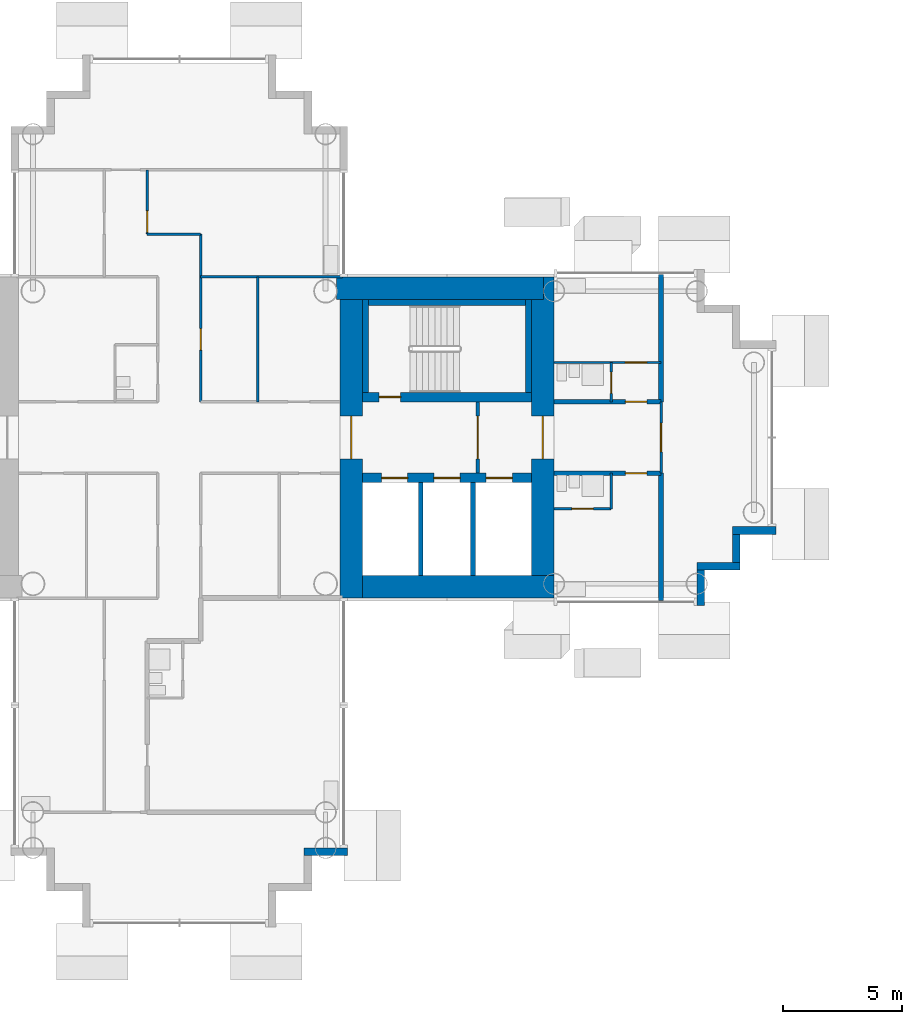
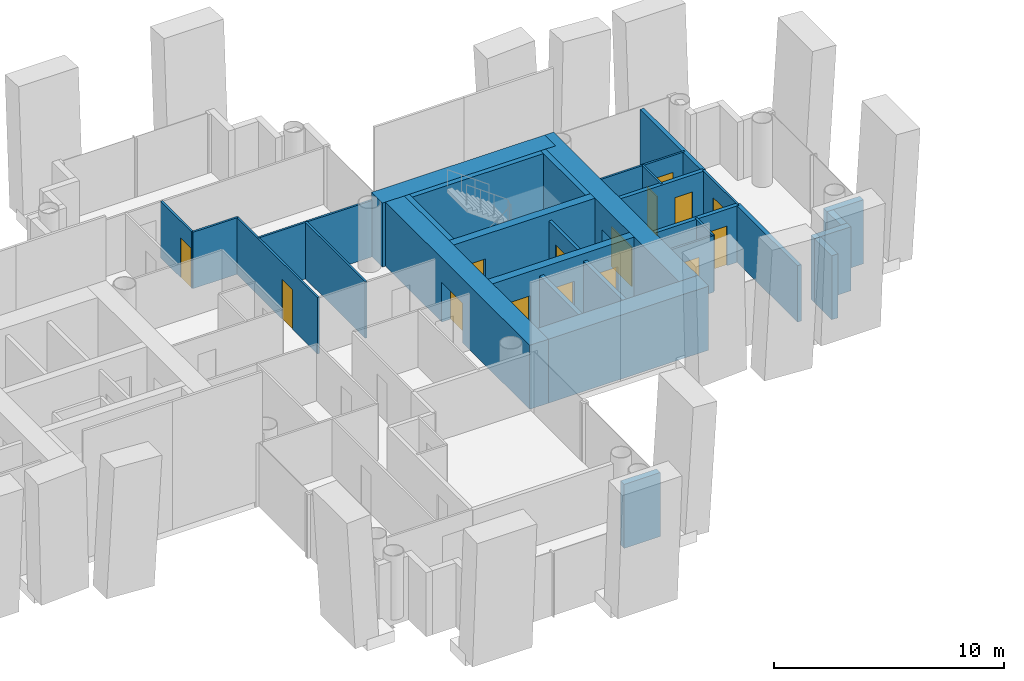
# One storey, part 10 of 21: 31 walls, 15 doors, 15 openings.
"""IFC4 building model written with IfcOpenShell, lengths in metres."""

from ifc_helpers import new_model, si_unit, direction, frame, frame_2d, origin, place, context, subcontext, project, spatial, rectangle, extrude, material, layer, layer_set, type_object, element, fill, save


model = new_model("IFC4")

# Units and contexts
model_context = context("Model", 3, precision=1e-05, world=origin(), true_north=direction((0.0, 1.0)))
body_context = subcontext(model_context, "Body", "Model", "MODEL_VIEW")
ifc_project = project(units=[si_unit("LENGTHUNIT", "METRE"), si_unit("AREAUNIT", "SQUARE_METRE"), si_unit("VOLUMEUNIT", "CUBIC_METRE"), si_unit("PLANEANGLEUNIT", "RADIAN"), si_unit("MASSUNIT", "GRAM", prefix="KILO")], contexts=[model_context])

# Site, building, storey
site_placement = place(None, origin())
site = spatial("IfcSite", under=ifc_project, at=site_placement, CompositionType="ELEMENT")
building_placement = place(site_placement, origin())
building = spatial("IfcBuilding", under=site, at=building_placement, Name="Ipe Terrace Towers", CompositionType="ELEMENT")
storey_placement = place(building_placement, frame((0.0, 0.0, 114.0)))
storey = spatial("IfcBuildingStorey", under=building, at=storey_placement, Name="L31", CompositionType="ELEMENT", Elevation=114.0)

# Walls
ifc_material_1 = material(Name="Concrete C40/50 with buff precast cladding", Category="concrete")
ifc_layer_1 = layer(ifc_material_1, 0.320068359375)
ifc_layer_set_1 = layer_set([ifc_layer_1], Name="BUFF CLADDING WALL 320")
wall_type_1 = type_object("IfcWallType", Name="BUFF CLADDING WALL 320", PredefinedType="STANDARD", material=ifc_layer_set_1)
wall_1_placement = place(storey_placement, frame((-30.75, -17.409912109375, -0.300048828125), z_axis=(0.0, 0.0, 1.0), x_axis=(1.0, 0.0, 0.0)))
element("IfcWall", 1, at=wall_1_placement, inside=storey, type_object=wall_type_1, Name="T1-W-L31-16a wall", PredefinedType="STANDARD", context=body_context, shape_type="SweptSolid", body=[
    extrude(rectangle(XDim=1.820068359375, YDim=0.320068359375, at=frame_2d((0.91015625, 0.0))), origin(), (0.0, 0.0, 1.0), 3.400146484375),
])
wall_2_placement = place(storey_placement, frame((-14.090087890625, -7.070068359375, -0.300048828125), z_axis=(0.0, 0.0, 1.0), x_axis=(0.0, 1.0, 0.0)))
element("IfcWall", 2, at=wall_2_placement, inside=storey, type_object=wall_type_1, Name="T1-W-L31-21a wall", PredefinedType="STANDARD", context=body_context, shape_type="SweptSolid", body=[
    extrude(rectangle(XDim=1.5, YDim=0.320068359375, at=frame_2d((0.75, 0.0))), origin(), (0.0, 0.0, 1.0), 3.400146484375),
])
wall_3_placement = place(storey_placement, frame((-14.25, -5.409912109375, -0.300048828125), z_axis=(0.0, 0.0, 1.0), x_axis=(1.0, 0.0, 0.0)))
element("IfcWall", 3, at=wall_3_placement, inside=storey, type_object=wall_type_1, Name="T1-W-L31-22a wall", PredefinedType="STANDARD", context=body_context, shape_type="SweptSolid", body=[
    extrude(rectangle(XDim=1.820068359375, YDim=0.320068359375, at=frame_2d((0.91015625, 0.0))), origin(), (0.0, 0.0, 1.0), 3.400146484375),
])
wall_4_placement = place(storey_placement, frame((-12.590087890625, -5.25, -0.300048828125), z_axis=(0.0, 0.0, 1.0), x_axis=(0.0, 1.0, 0.0)))
element("IfcWall", 4, at=wall_4_placement, inside=storey, type_object=wall_type_1, Name="T1-W-L31-23a wall", PredefinedType="STANDARD", context=body_context, shape_type="SweptSolid", body=[
    extrude(rectangle(XDim=1.179931640625, YDim=0.320068359375, at=frame_2d((0.58984375, 0.0))), origin(), (0.0, 0.0, 1.0), 3.400146484375),
])
wall_5_placement = place(storey_placement, frame((-12.75, -3.909912109375, -0.300048828125), z_axis=(0.0, 0.0, 1.0), x_axis=(1.0, 0.0, 0.0)))
element("IfcWall", 5, at=wall_5_placement, inside=storey, type_object=wall_type_1, Name="T1-W-L31-24a wall", PredefinedType="STANDARD", context=body_context, shape_type="SweptSolid", body=[
    extrude(rectangle(XDim=1.820068359375, YDim=0.320068359375, at=frame_2d((0.91015625, 0.0))), origin(), (0.0, 0.0, 1.0), 3.400146484375),
])

# Wall, opening, door
ifc_material_2 = material(Name="Gypsum board partition", Category="plasterboard")
ifc_layer_2 = layer(ifc_material_2, 0.10009765625)
ifc_layer_set_2 = layer_set([ifc_layer_2], Name="Gypsum board partition 100 mm")
wall_type_2 = type_object("IfcWallType", Name="Gypsum board partition 100 mm", PredefinedType="PARTITIONING", material=ifc_layer_set_2)
wall_6_placement = place(storey_placement, frame((-37.35009765625, 8.550048828125, 0.0), z_axis=(0.0, 0.0, 1.0), x_axis=(0.0, 1.0, 0.0)))
wall_6 = element("IfcWall", 6, at=wall_6_placement, inside=storey, type_object=wall_type_2, Name="Gypsum board partition T1 L31 W08", PredefinedType="PARTITIONING", context=body_context, shape_type="SweptSolid", body=[
    extrude(rectangle(XDim=2.699951171875, YDim=0.10009765625, at=frame_2d((1.35009765625, 0.0))), origin(), (0.0, 0.0, 1.0), 3.0),
])
opening_1_placement = place(wall_6_placement, frame((0.070068359375, 0.0, 0.0)))
opening_1 = element("IfcOpeningElement", 7, at=opening_1_placement, cuts=wall_6, Name="Opening T1-Z2F-10", PredefinedType="OPENING", context=body_context, shape_type="SweptSolid", body=[
    extrude(rectangle(XDim=0.89990234375, YDim=2.10009765625, at=frame_2d((0.449951171875, 1.050048828125))), frame((0.0, 0.06005859375, 0.0), z_axis=(0.0, -1.0, 0.0), x_axis=(1.0, 0.0, 0.0)), (0.0, 0.0, 1.0), 0.1201171875),
])
ifc_material_3 = material(Name="Timber door leaf", Category="wood")
door_type_1 = type_object("IfcDoorType", Name="Lounge door 900 x 2100", OperationType="NOTDEFINED", PredefinedType="DOOR", material=ifc_material_3)
door_1_placement = place(opening_1_placement, origin())
door_1 = element("IfcDoor", 8, at=door_1_placement, inside=storey, type_object=door_type_1, Name="Lounge door T1-Z2F-10", OperationType="SINGLE_SWING_LEFT", OverallHeight=2.10009765625, OverallWidth=0.89990234375, PredefinedType="DOOR", context=body_context, shape_type="SweptSolid", body=[
    extrude(rectangle(XDim=0.89990234375, YDim=2.10009765625, at=frame_2d((0.449951171875, 1.050048828125))), frame((0.0, 0.02490234375, 0.0), z_axis=(0.0, -1.0, 0.0), x_axis=(1.0, 0.0, 0.0)), (0.0, 0.0, 1.0), 0.050048828125),
])
fill(opening_1, door_1)

wall_7_placement = place(storey_placement, frame((-35.10009765625, 1.5, 0.0), z_axis=(0.0, 0.0, 1.0), x_axis=(0.0, 1.0, 0.0)))
wall_7 = element("IfcWall", 9, at=wall_7_placement, inside=storey, type_object=wall_type_2, Name="Gypsum board partition T1 L31 W14", PredefinedType="PARTITIONING", context=body_context, shape_type="SweptSolid", body=[
    extrude(rectangle(XDim=7.050048828125, YDim=0.10009765625, at=frame_2d((3.52490234375, 0.0))), origin(), (0.0, 0.0, 1.0), 3.0),
])
opening_2_placement = place(wall_7_placement, frame((2.175048828125, 0.0, 0.0)))
opening_2 = element("IfcOpeningElement", 10, at=opening_2_placement, cuts=wall_7, Name="Opening T1-Z2F-02", PredefinedType="OPENING", context=body_context, shape_type="SweptSolid", body=[
    extrude(rectangle(XDim=0.89990234375, YDim=2.10009765625, at=frame_2d((0.449951171875, 1.050048828125))), frame((0.0, 0.06005859375, 0.0), z_axis=(0.0, -1.0, 0.0), x_axis=(1.0, 0.0, 0.0)), (0.0, 0.0, 1.0), 0.1201171875),
])
door_2_placement = place(opening_2_placement, origin())
door_2 = element("IfcDoor", 11, at=door_2_placement, inside=storey, type_object=door_type_1, Name="Lounge door T1-Z2F-02", OperationType="SINGLE_SWING_LEFT", OverallHeight=2.10009765625, OverallWidth=0.89990234375, PredefinedType="DOOR", context=body_context, shape_type="SweptSolid", body=[
    extrude(rectangle(XDim=0.89990234375, YDim=2.10009765625, at=frame_2d((0.449951171875, 1.050048828125))), frame((0.0, 0.02490234375, 0.0), z_axis=(0.0, -1.0, 0.0), x_axis=(1.0, 0.0, 0.0)), (0.0, 0.0, 1.0), 0.050048828125),
])
fill(opening_2, door_2)

# Walls
wall_8_placement = place(storey_placement, frame((-32.699951171875, 1.5, 0.0), z_axis=(0.0, 0.0, 1.0), x_axis=(0.0, 1.0, 0.0)))
element("IfcWall", 12, at=wall_8_placement, inside=storey, type_object=wall_type_2, Name="Gypsum board partition T1 L31 W16", PredefinedType="PARTITIONING", context=body_context, shape_type="SweptSolid", body=[
    extrude(rectangle(XDim=5.25, YDim=0.10009765625, at=frame_2d((2.625, 0.0))), origin(), (0.0, 0.0, 1.0), 3.0),
])
wall_9_placement = place(storey_placement, frame((-17.85009765625, -3.0, 0.0), z_axis=(0.0, 0.0, 1.0), x_axis=(0.0, 1.0, 0.0)))
element("IfcWall", 13, at=wall_9_placement, inside=storey, type_object=wall_type_2, Name="Gypsum board partition T1 L31 W18", PredefinedType="PARTITIONING", context=body_context, shape_type="SweptSolid", body=[
    extrude(rectangle(XDim=1.5, YDim=0.10009765625, at=frame_2d((0.75, 0.0))), origin(), (0.0, 0.0, 1.0), 3.0),
])

# Wall, opening, door
wall_10_placement = place(storey_placement, frame((-17.85009765625, 1.5, 0.0), z_axis=(0.0, 0.0, 1.0), x_axis=(0.0, 1.0, 0.0)))
wall_10 = element("IfcWall", 14, at=wall_10_placement, inside=storey, type_object=wall_type_2, Name="Gypsum board partition T1 L31 W19", PredefinedType="PARTITIONING", context=body_context, shape_type="SweptSolid", body=[
    extrude(rectangle(XDim=1.64990234375, YDim=0.10009765625, at=frame_2d((0.824951171875, 0.0))), origin(), (0.0, 0.0, 1.0), 3.0),
])
opening_3_placement = place(wall_10_placement, frame((0.35009765625, 0.0, 0.0)))
opening_3 = element("IfcOpeningElement", 15, at=opening_3_placement, cuts=wall_10, Name="Opening T1-Z2F-18", PredefinedType="OPENING", context=body_context, shape_type="SweptSolid", body=[
    extrude(rectangle(XDim=0.89990234375, YDim=2.10009765625, at=frame_2d((0.449951171875, 1.050048828125))), frame((0.0, 0.06005859375, 0.0), z_axis=(0.0, -1.0, 0.0), x_axis=(1.0, 0.0, 0.0)), (0.0, 0.0, 1.0), 0.1201171875),
])
ifc_material_4 = material(Name="Timber door leaf", Category="wood")
door_type_2 = type_object("IfcDoorType", Name="Bathroom door 900 x 2100", OperationType="NOTDEFINED", PredefinedType="DOOR", material=ifc_material_4)
door_3_placement = place(opening_3_placement, origin())
door_3 = element("IfcDoor", 16, at=door_3_placement, inside=storey, type_object=door_type_2, Name="Bathroom door T1-Z2F-18", OperationType="SINGLE_SWING_RIGHT", OverallHeight=2.10009765625, OverallWidth=0.89990234375, PredefinedType="DOOR", context=body_context, shape_type="SweptSolid", body=[
    extrude(rectangle(XDim=0.89990234375, YDim=2.10009765625, at=frame_2d((0.449951171875, 1.050048828125))), frame((0.0, 0.02490234375, 0.0), z_axis=(0.0, -1.0, 0.0), x_axis=(1.0, 0.0, 0.0)), (0.0, 0.0, 1.0), 0.050048828125),
])
fill(opening_3, door_3)

wall_11_placement = place(storey_placement, frame((-15.75, -1.5, 0.0), z_axis=(0.0, 0.0, 1.0), x_axis=(0.0, 1.0, 0.0)))
wall_11 = element("IfcWall", 17, at=wall_11_placement, inside=storey, type_object=wall_type_2, Name="Gypsum board partition T1 L31 W20", PredefinedType="PARTITIONING", context=body_context, shape_type="SweptSolid", body=[
    extrude(rectangle(XDim=3.0, YDim=0.10009765625, at=frame_2d((1.5, 0.0))), origin(), (0.0, 0.0, 1.0), 3.0),
])
opening_4_placement = place(wall_11_placement, frame((0.89990234375, 0.0, 0.0)))
opening_4 = element("IfcOpeningElement", 18, at=opening_4_placement, cuts=wall_11, Name="Opening T1-Z2F-21", PredefinedType="OPENING", context=body_context, shape_type="SweptSolid", body=[
    extrude(rectangle(XDim=1.199951171875, YDim=2.10009765625, at=frame_2d((0.60009765625, 1.050048828125))), frame((0.0, 0.06005859375, 0.0), z_axis=(0.0, -1.0, 0.0), x_axis=(1.0, 0.0, 0.0)), (0.0, 0.0, 1.0), 0.1201171875),
])
ifc_material_5 = material(Name="Timber door leaf", Category="wood")
door_type_3 = type_object("IfcDoorType", Name="Lounge door 1200 x 2100", OperationType="NOTDEFINED", PredefinedType="DOOR", material=ifc_material_5)
door_4_placement = place(opening_4_placement, origin())
door_4 = element("IfcDoor", 19, at=door_4_placement, inside=storey, type_object=door_type_3, Name="Lounge door T1-Z2F-21", OperationType="SINGLE_SWING_RIGHT", OverallHeight=2.10009765625, OverallWidth=1.199951171875, PredefinedType="DOOR", context=body_context, shape_type="SweptSolid", body=[
    extrude(rectangle(XDim=1.199951171875, YDim=2.10009765625, at=frame_2d((0.60009765625, 1.050048828125))), frame((0.0, 0.02490234375, 0.0), z_axis=(0.0, -1.0, 0.0), x_axis=(1.0, 0.0, 0.0)), (0.0, 0.0, 1.0), 0.050048828125),
])
fill(opening_4, door_4)

wall_12_placement = place(storey_placement, frame((-20.25, -3.0, 0.0), z_axis=(0.0, 0.0, 1.0), x_axis=(1.0, 0.0, 0.0)))
wall_12 = element("IfcWall", 20, at=wall_12_placement, inside=storey, type_object=wall_type_2, Name="Gypsum board partition T1 L31 W30", PredefinedType="PARTITIONING", context=body_context, shape_type="SweptSolid", body=[
    extrude(rectangle(XDim=2.39990234375, YDim=0.10009765625, at=frame_2d((1.199951171875, 0.0))), origin(), (0.0, 0.0, 1.0), 3.0),
])
opening_5_placement = place(wall_12_placement, frame((0.75, 0.0, 0.0)))
opening_5 = element("IfcOpeningElement", 21, at=opening_5_placement, cuts=wall_12, Name="Opening T1-Z2F-20", PredefinedType="OPENING", context=body_context, shape_type="SweptSolid", body=[
    extrude(rectangle(XDim=0.89990234375, YDim=2.10009765625, at=frame_2d((0.449951171875, 1.050048828125))), frame((0.0, 0.06005859375, 0.0), z_axis=(0.0, -1.0, 0.0), x_axis=(1.0, 0.0, 0.0)), (0.0, 0.0, 1.0), 0.1201171875),
])
door_5_placement = place(opening_5_placement, origin())
door_5 = element("IfcDoor", 22, at=door_5_placement, inside=storey, type_object=door_type_2, Name="Bathroom door T1-Z2F-20", OperationType="SINGLE_SWING_LEFT", OverallHeight=2.10009765625, OverallWidth=0.89990234375, PredefinedType="DOOR", context=body_context, shape_type="SweptSolid", body=[
    extrude(rectangle(XDim=0.89990234375, YDim=2.10009765625, at=frame_2d((0.449951171875, 1.050048828125))), frame((0.0, 0.02490234375, 0.0), z_axis=(0.0, -1.0, 0.0), x_axis=(1.0, 0.0, 0.0)), (0.0, 0.0, 1.0), 0.050048828125),
])
fill(opening_5, door_5)

wall_13_placement = place(storey_placement, frame((-20.25, 3.14990234375, 0.0), z_axis=(0.0, 0.0, 1.0), x_axis=(1.0, 0.0, 0.0)))
wall_13 = element("IfcWall", 23, at=wall_13_placement, inside=storey, type_object=wall_type_2, Name="Gypsum board partition T1 L31 W42", PredefinedType="PARTITIONING", context=body_context, shape_type="SweptSolid", body=[
    extrude(rectangle(XDim=4.5, YDim=0.10009765625, at=frame_2d((2.25, 0.0))), origin(), (0.0, 0.0, 1.0), 3.0),
])
opening_6_placement = place(wall_13_placement, frame((3.0, 0.0, 0.0)))
opening_6 = element("IfcOpeningElement", 24, at=opening_6_placement, cuts=wall_13, Name="Opening T1-Z2F-17", PredefinedType="OPENING", context=body_context, shape_type="SweptSolid", body=[
    extrude(rectangle(XDim=0.89990234375, YDim=2.10009765625, at=frame_2d((0.449951171875, 1.050048828125))), frame((0.0, 0.06005859375, 0.0), z_axis=(0.0, -1.0, 0.0), x_axis=(1.0, 0.0, 0.0)), (0.0, 0.0, 1.0), 0.1201171875),
])
ifc_material_6 = material(Name="Timber door leaf", Category="wood")
door_type_4 = type_object("IfcDoorType", Name="Bedroom door 900 x 2100", OperationType="NOTDEFINED", PredefinedType="DOOR", material=ifc_material_6)
door_6_placement = place(opening_6_placement, origin())
door_6 = element("IfcDoor", 25, at=door_6_placement, inside=storey, type_object=door_type_4, Name="Bedroom door T1-Z2F-17", OperationType="SINGLE_SWING_LEFT", OverallHeight=2.10009765625, OverallWidth=0.89990234375, PredefinedType="DOOR", context=body_context, shape_type="SweptSolid", body=[
    extrude(rectangle(XDim=0.89990234375, YDim=2.10009765625, at=frame_2d((0.449951171875, 1.050048828125))), frame((0.0, 0.02490234375, 0.0), z_axis=(0.0, -1.0, 0.0), x_axis=(1.0, 0.0, 0.0)), (0.0, 0.0, 1.0), 0.050048828125),
])
fill(opening_6, door_6)

# Walls
wall_14_placement = place(storey_placement, frame((-35.10009765625, 6.75, 0.0), z_axis=(0.0, 0.0, 1.0), x_axis=(1.0, 0.0, 0.0)))
element("IfcWall", 26, at=wall_14_placement, inside=storey, type_object=wall_type_2, Name="Gypsum board partition T1 L31 W45", PredefinedType="PARTITIONING", context=body_context, shape_type="SweptSolid", body=[
    extrude(rectangle(XDim=5.9501953125, YDim=0.10009765625, at=frame_2d((2.97509765625, 0.0))), origin(), (0.0, 0.0, 1.0), 3.0),
])
wall_15_placement = place(storey_placement, frame((-37.35009765625, 8.550048828125, 0.0), z_axis=(0.0, 0.0, 1.0), x_axis=(1.0, 0.0, 0.0)))
element("IfcWall", 27, at=wall_15_placement, inside=storey, type_object=wall_type_2, Name="Gypsum board partition T1 L31 W46", PredefinedType="PARTITIONING", context=body_context, shape_type="SweptSolid", body=[
    extrude(rectangle(XDim=2.25, YDim=0.10009765625, at=frame_2d((1.125, 0.0))), origin(), (0.0, 0.0, 1.0), 3.0),
])

# Wall, opening, door
ifc_material_7 = material(Name="Gypsum board partition", Category="plasterboard")
ifc_layer_3 = layer(ifc_material_7, 0.14990234375)
ifc_layer_set_3 = layer_set([ifc_layer_3], Name="Gypsum board partition 150 mm")
wall_type_3 = type_object("IfcWallType", Name="Gypsum board partition 150 mm", PredefinedType="PARTITIONING", material=ifc_layer_set_3)
wall_16_placement = place(storey_placement, frame((-23.449951171875, -1.5, 0.0), z_axis=(0.0, 0.0, 1.0), x_axis=(0.0, 1.0, 0.0)))
wall_16 = element("IfcWall", 28, at=wall_16_placement, inside=storey, type_object=wall_type_3, Name="Gypsum board partition T1 L31 t1c1-lobby-wall", PredefinedType="PARTITIONING", context=body_context, shape_type="SweptSolid", body=[
    extrude(rectangle(XDim=3.0, YDim=0.14990234375, at=frame_2d((1.5, 0.0))), origin(), (0.0, 0.0, 1.0), 3.0),
])
opening_7_placement = place(wall_16_placement, frame((0.60009765625, 0.0, 0.0)))
opening_7 = element("IfcOpeningElement", 29, at=opening_7_placement, cuts=wall_16, Name="Opening T1C1-VD", PredefinedType="OPENING", context=body_context, shape_type="SweptSolid", body=[
    extrude(rectangle(XDim=1.800048828125, YDim=2.10009765625, at=frame_2d((0.89990234375, 1.050048828125))), frame((0.0, 0.0849609375, 0.0), z_axis=(0.0, -1.0, 0.0), x_axis=(1.0, 0.0, 0.0)), (0.0, 0.0, 1.0), 0.169921875),
])
ifc_material_8 = material(Name="Fire-rated timber door leaf", Category="wood")
door_type_5 = type_object("IfcDoorType", Name="Lobby door 1800 x 2100 FD60", OperationType="NOTDEFINED", PredefinedType="DOOR", material=ifc_material_8)
door_7_placement = place(opening_7_placement, origin())
door_7 = element("IfcDoor", 30, at=door_7_placement, inside=storey, type_object=door_type_5, Name="Lobby door T1C1-VD", OperationType="SINGLE_SWING_LEFT", OverallHeight=2.10009765625, OverallWidth=1.800048828125, PredefinedType="DOOR", context=body_context, shape_type="SweptSolid", body=[
    extrude(rectangle(XDim=1.800048828125, YDim=2.10009765625, at=frame_2d((0.89990234375, 1.050048828125))), frame((0.0, 0.02490234375, 0.0), z_axis=(0.0, -1.0, 0.0), x_axis=(1.0, 0.0, 0.0)), (0.0, 0.0, 1.0), 0.050048828125),
])
fill(opening_7, door_7)

# Walls
ifc_material_9 = material(Name="Gypsum board party wall", Category="plasterboard")
ifc_layer_4 = layer(ifc_material_9, 0.199951171875)
ifc_layer_set_4 = layer_set([ifc_layer_4], Name="Gypsum board party wall 200 mm")
wall_type_4 = type_object("IfcWallType", Name="Gypsum board party wall 200 mm", PredefinedType="SOLIDWALL", material=ifc_layer_set_4)
for number, where, z_axis, x_axis, name in (
    (31, (-25.85009765625, -5.800048828125, 0.0), (0.0, 0.0, 1.0), (0.0, 1.0, 0.0), "Gypsum board party wall T1 L31 t1c1-shaft-div1"),
    (32, (-23.64990234375, -5.800048828125, 0.0), (0.0, 0.0, 1.0), (0.0, 1.0, 0.0), "Gypsum board party wall T1 L31 t1c1-shaft-div2"),
):
    element("IfcWall", number, at=place(storey_placement, frame(where, z_axis=z_axis, x_axis=x_axis)), inside=storey, type_object=wall_type_4, Name=name, PredefinedType="SOLIDWALL", context=body_context, shape_type="SweptSolid", body=[
        extrude(rectangle(XDim=3.900146484375, YDim=0.199951171875, at=frame_2d((1.9501953125, 0.0))), origin(), (0.0, 0.0, 1.0), 3.0),
    ])
for number, where, z_axis, x_axis, name in (
    (33, (-15.75, -6.85009765625, 0.0), (0.0, 0.0, 1.0), (0.0, 1.0, 0.0), "Gypsum board party wall T1 L31 W21"),
    (34, (-15.75, 1.5, 0.0), (0.0, 0.0, 1.0), (0.0, 1.0, 0.0), "Gypsum board party wall T1 L31 W22"),
):
    element("IfcWall", number, at=place(storey_placement, frame(where, z_axis=z_axis, x_axis=x_axis)), inside=storey, type_object=wall_type_4, Name=name, PredefinedType="SOLIDWALL", context=body_context, shape_type="SweptSolid", body=[
        extrude(rectangle(XDim=5.35009765625, YDim=0.199951171875, at=frame_2d((2.675048828125, 0.0))), origin(), (0.0, 0.0, 1.0), 3.0),
    ])

# Wall, opening, door
wall_17_placement = place(storey_placement, frame((-20.25, -1.5, 0.0), z_axis=(0.0, 0.0, 1.0), x_axis=(1.0, 0.0, 0.0)))
wall_17 = element("IfcWall", 35, at=wall_17_placement, inside=storey, type_object=wall_type_4, Name="Gypsum board party wall T1 L31 W35", PredefinedType="SOLIDWALL", context=body_context, shape_type="SweptSolid", body=[
    extrude(rectangle(XDim=4.5, YDim=0.199951171875, at=frame_2d((2.25, 0.0))), origin(), (0.0, 0.0, 1.0), 3.0),
])
opening_8_placement = place(wall_17_placement, frame((3.0, 0.0, 0.0)))
opening_8 = element("IfcOpeningElement", 36, at=opening_8_placement, cuts=wall_17, Name="Opening T1-Z2F-19", PredefinedType="OPENING", context=body_context, shape_type="SweptSolid", body=[
    extrude(rectangle(XDim=0.89990234375, YDim=2.10009765625, at=frame_2d((0.449951171875, 1.050048828125))), frame((0.0, 0.10986328125, 0.0), z_axis=(0.0, -1.0, 0.0), x_axis=(1.0, 0.0, 0.0)), (0.0, 0.0, 1.0), 0.219970703125),
])
ifc_material_10 = material(Name="Fire-rated timber door leaf", Category="wood")
door_type_6 = type_object("IfcDoorType", Name="Flat entrance door 900 x 2100 FD30S", OperationType="NOTDEFINED", PredefinedType="DOOR", material=ifc_material_10)
door_8_placement = place(opening_8_placement, origin())
door_8 = element("IfcDoor", 37, at=door_8_placement, inside=storey, type_object=door_type_6, Name="Flat entrance door T1-Z2F-19", OperationType="SINGLE_SWING_RIGHT", OverallHeight=2.10009765625, OverallWidth=0.89990234375, PredefinedType="DOOR", context=body_context, shape_type="SweptSolid", body=[
    extrude(rectangle(XDim=0.89990234375, YDim=2.10009765625, at=frame_2d((0.449951171875, 1.050048828125))), frame((0.0, 0.02490234375, 0.0), z_axis=(0.0, -1.0, 0.0), x_axis=(1.0, 0.0, 0.0)), (0.0, 0.0, 1.0), 0.050048828125),
])
fill(opening_8, door_8)

wall_18_placement = place(storey_placement, frame((-20.25, 1.5, 0.0), z_axis=(0.0, 0.0, 1.0), x_axis=(1.0, 0.0, 0.0)))
wall_18 = element("IfcWall", 38, at=wall_18_placement, inside=storey, type_object=wall_type_4, Name="Gypsum board party wall T1 L31 W40", PredefinedType="SOLIDWALL", context=body_context, shape_type="SweptSolid", body=[
    extrude(rectangle(XDim=4.5, YDim=0.199951171875, at=frame_2d((2.25, 0.0))), origin(), (0.0, 0.0, 1.0), 3.0),
])
opening_9_placement = place(wall_18_placement, frame((3.0, 0.0, 0.0)))
opening_9 = element("IfcOpeningElement", 39, at=opening_9_placement, cuts=wall_18, Name="Opening T1-Z2F-16", PredefinedType="OPENING", context=body_context, shape_type="SweptSolid", body=[
    extrude(rectangle(XDim=0.89990234375, YDim=2.10009765625, at=frame_2d((0.449951171875, 1.050048828125))), frame((0.0, 0.10986328125, 0.0), z_axis=(0.0, -1.0, 0.0), x_axis=(1.0, 0.0, 0.0)), (0.0, 0.0, 1.0), 0.219970703125),
])
door_9_placement = place(opening_9_placement, origin())
door_9 = element("IfcDoor", 40, at=door_9_placement, inside=storey, type_object=door_type_6, Name="Flat entrance door T1-Z2F-16", OperationType="SINGLE_SWING_LEFT", OverallHeight=2.10009765625, OverallWidth=0.89990234375, PredefinedType="DOOR", context=body_context, shape_type="SweptSolid", body=[
    extrude(rectangle(XDim=0.89990234375, YDim=2.10009765625, at=frame_2d((0.449951171875, 1.050048828125))), frame((0.0, 0.02490234375, 0.0), z_axis=(0.0, -1.0, 0.0), x_axis=(1.0, 0.0, 0.0)), (0.0, 0.0, 1.0), 0.050048828125),
])
fill(opening_9, door_9)

# Walls
ifc_material_11 = material(Name="Concrete C50/60", Category="concrete")
ifc_layer_5 = layer(ifc_material_11, 0.25)
ifc_layer_set_5 = layer_set([ifc_layer_5], Name="RW250 CORE INFILL WALL 250 C50-60")
wall_type_5 = type_object("IfcWallType", Name="RW250 CORE INFILL WALL 250 C50-60", PredefinedType="SHEAR", material=ifc_layer_set_5)
wall_19_placement = place(storey_placement, frame((-21.324951171875, 1.89990234375, 0.0), z_axis=(0.0, 0.0, 1.0), x_axis=(0.0, 1.0, 0.0)))
element("IfcWall", 41, at=wall_19_placement, inside=storey, type_object=wall_type_5, Name="Core infill wall T1-C1-far", PredefinedType="SHEAR", context=body_context, shape_type="SweptSolid", body=[
    extrude(rectangle(XDim=3.900146484375, YDim=0.25, at=frame_2d((1.9501953125, 0.0))), origin(), (0.0, 0.0, 1.0), 3.39990234375),
])
wall_20_placement = place(storey_placement, frame((-28.050048828125, 5.675048828125, 0.0), z_axis=(0.0, 0.0, 1.0), x_axis=(1.0, 0.0, 0.0)))
element("IfcWall", 42, at=wall_20_placement, inside=storey, type_object=wall_type_5, Name="Core infill wall T1-C1-back", PredefinedType="SHEAR", context=body_context, shape_type="SweptSolid", body=[
    extrude(rectangle(XDim=6.60009765625, YDim=0.25, at=frame_2d((3.300048828125, 0.0))), origin(), (0.0, 0.0, 1.0), 3.39990234375),
])
wall_21_placement = place(storey_placement, frame((-28.175048828125, 1.89990234375, 0.0), z_axis=(0.0, 0.0, 1.0), x_axis=(0.0, 1.0, 0.0)))
element("IfcWall", 43, at=wall_21_placement, inside=storey, type_object=wall_type_5, Name="Core infill wall T1-C1-near", PredefinedType="SHEAR", context=body_context, shape_type="SweptSolid", body=[
    extrude(rectangle(XDim=3.900146484375, YDim=0.25, at=frame_2d((1.9501953125, 0.0))), origin(), (0.0, 0.0, 1.0), 3.39990234375),
])

# Wall, openings, doors
ifc_material_12 = material(Name="Concrete C50/60", Category="concrete")
ifc_layer_6 = layer(ifc_material_12, 0.39990234375)
ifc_layer_set_6 = layer_set([ifc_layer_6], Name="RW400 CORE SPINE WALL 400 C50-60")
wall_type_6 = type_object("IfcWallType", Name="RW400 CORE SPINE WALL 400 C50-60", PredefinedType="SHEAR", material=ifc_layer_set_6)
wall_22_placement = place(storey_placement, frame((-28.300048828125, -1.699951171875, 0.0), z_axis=(0.0, 0.0, 1.0), x_axis=(1.0, 0.0, 0.0)))
wall_22 = element("IfcWall", 44, at=wall_22_placement, inside=storey, type_object=wall_type_6, Name="Core spine wall T1-C1-Z2-SW1", PredefinedType="SHEAR", context=body_context, shape_type="SweptSolid", body=[
    extrude(rectangle(XDim=7.10009765625, YDim=0.39990234375, at=frame_2d((3.550048828125, 0.0))), origin(), (0.0, 0.0, 1.0), 3.39990234375),
])
opening_10_placement = place(wall_22_placement, frame((0.800048828125, 0.0, 0.0)))
opening_10 = element("IfcOpeningElement", 45, at=opening_10_placement, cuts=wall_22, Name="Opening T1C1-LD1", PredefinedType="OPENING", context=body_context, shape_type="SweptSolid", body=[
    extrude(rectangle(XDim=1.10009765625, YDim=2.10009765625, at=frame_2d((0.550048828125, 1.050048828125))), frame((0.0, 0.2099609375, 0.0), z_axis=(0.0, -1.0, 0.0), x_axis=(1.0, 0.0, 0.0)), (0.0, 0.0, 1.0), 0.419921875),
])
opening_11_placement = place(wall_22_placement, frame((3.0, 0.0, 0.0)))
opening_11 = element("IfcOpeningElement", 46, at=opening_11_placement, cuts=wall_22, Name="Opening T1C1-LD2", PredefinedType="OPENING", context=body_context, shape_type="SweptSolid", body=[
    extrude(rectangle(XDim=1.10009765625, YDim=2.10009765625, at=frame_2d((0.550048828125, 1.050048828125))), frame((0.0, 0.2099609375, 0.0), z_axis=(0.0, -1.0, 0.0), x_axis=(1.0, 0.0, 0.0)), (0.0, 0.0, 1.0), 0.419921875),
])
opening_12_placement = place(wall_22_placement, frame((5.199951171875, 0.0, 0.0)))
opening_12 = element("IfcOpeningElement", 47, at=opening_12_placement, cuts=wall_22, Name="Opening T1C1-LD3", PredefinedType="OPENING", context=body_context, shape_type="SweptSolid", body=[
    extrude(rectangle(XDim=1.10009765625, YDim=2.10009765625, at=frame_2d((0.550048828125, 1.050048828125))), frame((0.0, 0.2099609375, 0.0), z_axis=(0.0, -1.0, 0.0), x_axis=(1.0, 0.0, 0.0)), (0.0, 0.0, 1.0), 0.419921875),
])
ifc_material_13 = material(Name="Fire-rated timber door leaf", Category="wood")
door_type_7 = type_object("IfcDoorType", Name="Sliding door 1100 x 2100 FD60", OperationType="SLIDING_TO_LEFT", PredefinedType="DOOR", material=ifc_material_13)
door_10_placement = place(opening_10_placement, origin())
door_10 = element("IfcDoor", 48, at=door_10_placement, inside=storey, type_object=door_type_7, Name="Sliding door T1C1-LD1", OperationType="SLIDING_TO_LEFT", OverallHeight=2.10009765625, OverallWidth=1.10009765625, PredefinedType="DOOR", context=body_context, shape_type="SweptSolid", body=[
    extrude(rectangle(XDim=1.10009765625, YDim=2.10009765625, at=frame_2d((0.550048828125, 1.050048828125))), frame((0.0, 0.02490234375, 0.0), z_axis=(0.0, -1.0, 0.0), x_axis=(1.0, 0.0, 0.0)), (0.0, 0.0, 1.0), 0.050048828125),
])
fill(opening_10, door_10)
door_11_placement = place(opening_11_placement, origin())
door_11 = element("IfcDoor", 49, at=door_11_placement, inside=storey, type_object=door_type_7, Name="Sliding door T1C1-LD2", OperationType="SLIDING_TO_LEFT", OverallHeight=2.10009765625, OverallWidth=1.10009765625, PredefinedType="DOOR", context=body_context, shape_type="SweptSolid", body=[
    extrude(rectangle(XDim=1.10009765625, YDim=2.10009765625, at=frame_2d((0.550048828125, 1.050048828125))), frame((0.0, 0.02490234375, 0.0), z_axis=(0.0, -1.0, 0.0), x_axis=(1.0, 0.0, 0.0)), (0.0, 0.0, 1.0), 0.050048828125),
])
fill(opening_11, door_11)
door_12_placement = place(opening_12_placement, origin())
door_12 = element("IfcDoor", 50, at=door_12_placement, inside=storey, type_object=door_type_7, Name="Sliding door T1C1-LD3", OperationType="SLIDING_TO_LEFT", OverallHeight=2.10009765625, OverallWidth=1.10009765625, PredefinedType="DOOR", context=body_context, shape_type="SweptSolid", body=[
    extrude(rectangle(XDim=1.10009765625, YDim=2.10009765625, at=frame_2d((0.550048828125, 1.050048828125))), frame((0.0, 0.02490234375, 0.0), z_axis=(0.0, -1.0, 0.0), x_axis=(1.0, 0.0, 0.0)), (0.0, 0.0, 1.0), 0.050048828125),
])
fill(opening_12, door_12)

# Wall, opening, door
wall_23_placement = place(storey_placement, frame((-28.300048828125, 1.699951171875, 0.0), z_axis=(0.0, 0.0, 1.0), x_axis=(1.0, 0.0, 0.0)))
wall_23 = element("IfcWall", 51, at=wall_23_placement, inside=storey, type_object=wall_type_6, Name="Core spine wall T1-C1-Z2-SW2", PredefinedType="SHEAR", context=body_context, shape_type="SweptSolid", body=[
    extrude(rectangle(XDim=7.10009765625, YDim=0.39990234375, at=frame_2d((3.550048828125, 0.0))), origin(), (0.0, 0.0, 1.0), 3.39990234375),
])
opening_13_placement = place(wall_23_placement, frame((0.699951171875, 0.0, 0.0)))
opening_13 = element("IfcOpeningElement", 52, at=opening_13_placement, cuts=wall_23, Name="Opening T1C1-SD", PredefinedType="OPENING", context=body_context, shape_type="SweptSolid", body=[
    extrude(rectangle(XDim=0.89990234375, YDim=2.10009765625, at=frame_2d((0.449951171875, 1.050048828125))), frame((0.0, 0.2099609375, 0.0), z_axis=(0.0, -1.0, 0.0), x_axis=(1.0, 0.0, 0.0)), (0.0, 0.0, 1.0), 0.419921875),
])
ifc_material_14 = material(Name="Fire-rated timber door leaf", Category="wood")
door_type_8 = type_object("IfcDoorType", Name="Stair door 900 x 2100 FD60", OperationType="NOTDEFINED", PredefinedType="DOOR", material=ifc_material_14)
door_13_placement = place(opening_13_placement, origin())
door_13 = element("IfcDoor", 53, at=door_13_placement, inside=storey, type_object=door_type_8, Name="Stair door T1C1-SD", OperationType="SINGLE_SWING_LEFT", OverallHeight=2.10009765625, OverallWidth=0.89990234375, PredefinedType="DOOR", context=body_context, shape_type="SweptSolid", body=[
    extrude(rectangle(XDim=0.89990234375, YDim=2.10009765625, at=frame_2d((0.449951171875, 1.050048828125))), frame((0.0, 0.02490234375, 0.0), z_axis=(0.0, -1.0, 0.0), x_axis=(1.0, 0.0, 0.0)), (0.0, 0.0, 1.0), 0.050048828125),
])
fill(opening_13, door_13)

# Wall
ifc_material_15 = material(Name="Concrete C50/60", Category="concrete")
ifc_layer_7 = layer(ifc_material_15, 0.949951171875)
ifc_layer_set_7 = layer_set([ifc_layer_7], Name="RW950 CORE WALL 950 C50-60")
wall_type_7 = type_object("IfcWallType", Name="RW950 CORE WALL 950 C50-60", PredefinedType="SHEAR", material=ifc_layer_set_7)
wall_24_placement = place(storey_placement, frame((-28.300048828125, -6.27490234375, 0.0), z_axis=(0.0, 0.0, 1.0), x_axis=(1.0, 0.0, 0.0)))
element("IfcWall", 54, at=wall_24_placement, inside=storey, type_object=wall_type_7, Name="Core wall T1-C1-Z2-W01", PredefinedType="SHEAR", context=body_context, shape_type="SweptSolid", body=[
    extrude(rectangle(XDim=8.050048828125, YDim=0.949951171875, at=frame_2d((4.02490234375, 0.0))), origin(), (0.0, 0.0, 1.0), 3.39990234375),
])

# Wall, opening, door
wall_25_placement = place(storey_placement, frame((-20.72509765625, -5.800048828125, 0.0), z_axis=(0.0, 0.0, 1.0), x_axis=(0.0, 1.0, 0.0)))
wall_25 = element("IfcWall", 55, at=wall_25_placement, inside=storey, type_object=wall_type_7, Name="Core wall T1-C1-Z2-W02", PredefinedType="SHEAR", context=body_context, shape_type="SweptSolid", body=[
    extrude(rectangle(XDim=12.550048828125, YDim=0.949951171875, at=frame_2d((6.27490234375, 0.0))), origin(), (0.0, 0.0, 1.0), 3.39990234375),
])
opening_14_placement = place(wall_25_placement, frame((4.89990234375, 0.0, 0.0)))
opening_14 = element("IfcOpeningElement", 56, at=opening_14_placement, cuts=wall_25, Name="Opening T1C1-FD", PredefinedType="OPENING", context=body_context, shape_type="SweptSolid", body=[
    extrude(rectangle(XDim=1.800048828125, YDim=2.10009765625, at=frame_2d((0.89990234375, 1.050048828125))), frame((0.0, 0.48486328125, 0.0), z_axis=(0.0, -1.0, 0.0), x_axis=(1.0, 0.0, 0.0)), (0.0, 0.0, 1.0), 0.969970703125),
])
ifc_material_16 = material(Name="Fire-rated timber door leaf", Category="wood")
door_type_9 = type_object("IfcDoorType", Name="Fire door 1800 x 2100 FD30S", OperationType="NOTDEFINED", PredefinedType="DOOR", material=ifc_material_16)
door_14_placement = place(opening_14_placement, origin())
door_14 = element("IfcDoor", 57, at=door_14_placement, inside=storey, type_object=door_type_9, Name="Fire door T1C1-FD", OperationType="SINGLE_SWING_LEFT", OverallHeight=2.10009765625, OverallWidth=1.800048828125, PredefinedType="DOOR", context=body_context, shape_type="SweptSolid", body=[
    extrude(rectangle(XDim=1.800048828125, YDim=2.10009765625, at=frame_2d((0.89990234375, 1.050048828125))), frame((0.0, 0.02490234375, 0.0), z_axis=(0.0, -1.0, 0.0), x_axis=(1.0, 0.0, 0.0)), (0.0, 0.0, 1.0), 0.050048828125),
])
fill(opening_14, door_14)

# Wall
wall_26_placement = place(storey_placement, frame((-20.701904296875, 6.27490234375, 0.0), z_axis=(0.0, 0.0, 1.0), x_axis=(-1.0, 0.0, 0.0)))
element("IfcWall", 58, at=wall_26_placement, inside=storey, type_object=wall_type_7, Name="Core wall T1-C1-Z2-W03", PredefinedType="SHEAR", context=body_context, shape_type="SweptSolid", body=[
    extrude(rectangle(XDim=8.696044921875, YDim=0.949951171875, at=frame_2d((4.34814453125, 0.0))), origin(), (0.0, 0.0, 1.0), 3.39990234375),
])

# Wall, opening, door
wall_27_placement = place(storey_placement, frame((-28.77490234375, 5.800048828125, 0.0), z_axis=(0.0, 0.0, 1.0), x_axis=(0.0, -1.0, 0.0)))
wall_27 = element("IfcWall", 59, at=wall_27_placement, inside=storey, type_object=wall_type_7, Name="Core wall T1-C1-Z2-W04", PredefinedType="SHEAR", context=body_context, shape_type="SweptSolid", body=[
    extrude(rectangle(XDim=12.550048828125, YDim=0.949951171875, at=frame_2d((6.27490234375, 0.0))), origin(), (0.0, 0.0, 1.0), 3.39990234375),
])
opening_15_placement = place(wall_27_placement, frame((4.89990234375, 0.0, 0.0)))
opening_15 = element("IfcOpeningElement", 60, at=opening_15_placement, cuts=wall_27, Name="Opening T1C1-ND", PredefinedType="OPENING", context=body_context, shape_type="SweptSolid", body=[
    extrude(rectangle(XDim=1.800048828125, YDim=2.10009765625, at=frame_2d((0.89990234375, 1.050048828125))), frame((0.0, 0.48486328125, 0.0), z_axis=(0.0, -1.0, 0.0), x_axis=(1.0, 0.0, 0.0)), (0.0, 0.0, 1.0), 0.969970703125),
])
door_15_placement = place(opening_15_placement, origin())
door_15 = element("IfcDoor", 61, at=door_15_placement, inside=storey, type_object=door_type_9, Name="Fire door T1C1-ND", OperationType="SINGLE_SWING_LEFT", OverallHeight=2.10009765625, OverallWidth=1.800048828125, PredefinedType="DOOR", context=body_context, shape_type="SweptSolid", body=[
    extrude(rectangle(XDim=1.800048828125, YDim=2.10009765625, at=frame_2d((0.89990234375, 1.050048828125))), frame((0.0, 0.02490234375, 0.0), z_axis=(0.0, -1.0, 0.0), x_axis=(1.0, 0.0, 0.0)), (0.0, 0.0, 1.0), 0.050048828125),
])
fill(opening_15, door_15)

save(model, "model.ifc")
